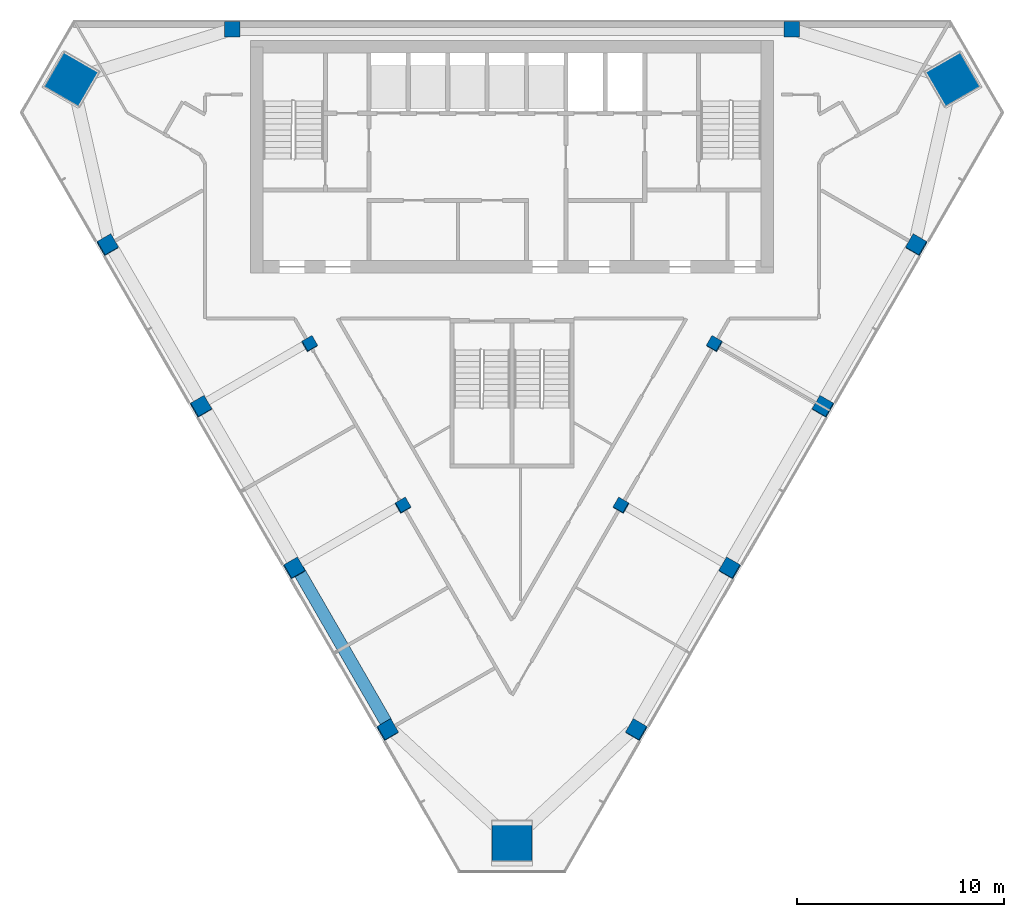
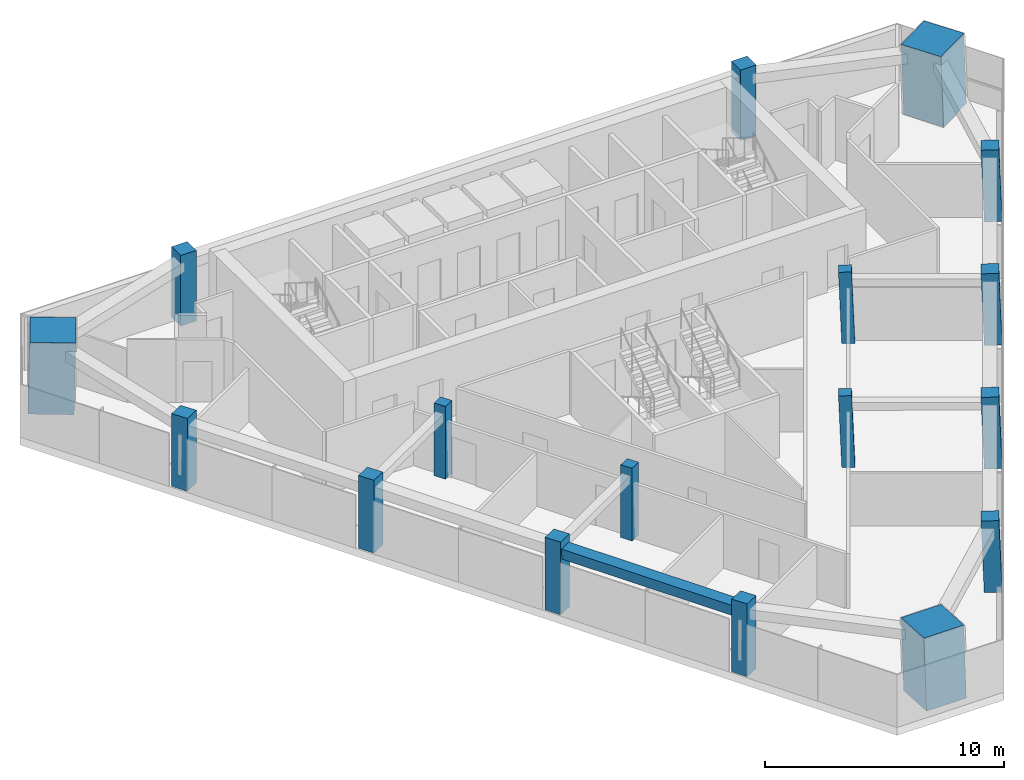
# One storey, part 1 of 12: 17 columns, 1 beam.
"""IFC4 building model written with IfcOpenShell, lengths in metres."""

from ifc_helpers import new_model, si_unit, direction, frame, origin, origin_2d, place, context, subcontext, project, spatial, rectangle, extrude, material, material_profile, profile_set, type_object, element, save


model = new_model("IFC4")

# Units and contexts
model_context = context("Model", 3, precision=1e-05, world=origin(), true_north=direction((0.0, 1.0)))
body_context = subcontext(model_context, "Body", "Model", "MODEL_VIEW")
ifc_project = project(units=[si_unit("LENGTHUNIT", "METRE"), si_unit("AREAUNIT", "SQUARE_METRE"), si_unit("VOLUMEUNIT", "CUBIC_METRE"), si_unit("PLANEANGLEUNIT", "RADIAN"), si_unit("MASSUNIT", "GRAM", prefix="KILO")], contexts=[model_context])

# Site, building, storey
site_placement = place(None, origin())
site = spatial("IfcSite", under=ifc_project, at=site_placement, CompositionType="ELEMENT")
building_placement = place(site_placement, origin())
building = spatial("IfcBuilding", under=site, at=building_placement, Name="Altiplano Prism Tower", CompositionType="ELEMENT")
storey_placement = place(building_placement, frame((0.0, 0.0, 253.60009765625)))
storey = spatial("IfcBuildingStorey", under=building, at=storey_placement, Name="L65", CompositionType="ELEMENT", Elevation=253.60009765625)

# Columns
ifc_material_1 = material(Name="Concrete C60/75", Category="concrete")
ifc_material_profile_1 = material_profile(ifc_material_1, rectangle(XDim=0.550048828125, YDim=0.550048828125, at=origin_2d()), Name="Inner column 550")
ifc_profile_set_1 = profile_set([ifc_material_profile_1], Name="Concrete C60/75")
column_type_1 = type_object("IfcColumnType", Name="Inner column 550", PredefinedType="COLUMN", material=ifc_profile_set_1)
for number, where, z_axis, x_axis, name in (
    (1, (75.22705078125, 89.3671875, -0.016845703125), (0.022221406801, 0.038413224561, 0.999014831351), (-0.866024074112, -0.498523102043, 0.038432015134), "Inner column I12 L65"),
    (2, (79.72705078125, 81.572998046875, -0.016845703125), (0.022221406801, 0.038413224561, 0.999014831351), (-0.866024074112, -0.498523102043, 0.038432015134), "Inner column I13 L65"),
    (3, (90.27294921875, 81.572998046875, -0.016845703125), (-0.022221406801, 0.038413224561, 0.999014831351), (-0.499508270339, -0.866024907787, 0.022188892584), "Inner column I22 L65"),
    (4, (94.77294921875, 89.3671875, -0.016845703125), (-0.022221406801, 0.038413224561, 0.999014831351), (-0.499508270339, -0.866024907787, 0.022188892584), "Inner column I23 L65"),
):
    element("IfcColumn", number, at=place(storey_placement, frame(where, z_axis=z_axis, x_axis=x_axis)), inside=storey, type_object=column_type_1, Name=name, PredefinedType="COLUMN", context=body_context, shape_type="SweptSolid", body=[
        extrude(rectangle(XDim=0.550048828125, YDim=0.550048828125, at=origin_2d()), origin(), (0.0, 0.0, 1.0), 3.603759765625),
    ])
ifc_material_2 = material(Name="Concrete C70/85", Category="concrete")
ifc_material_profile_2 = material_profile(ifc_material_2, rectangle(XDim=1.919921875, YDim=1.919921875, at=origin_2d()), Name="Mega column infill 2000")
ifc_profile_set_2 = profile_set([ifc_material_profile_2], Name="Concrete C70/85")
column_type_2 = type_object("IfcColumnType", Name="Mega column infill 2000", PredefinedType="COLUMN", material=ifc_profile_set_2)
column_1_placement = place(storey_placement, frame((63.68896484375, 102.11767578125, 0.0), z_axis=(0.028403721265, 0.009287135593, 0.999553389135), x_axis=(-0.866201868799, 0.499294814231, 0.019975258968)))
element("IfcColumn", 5, at=column_1_placement, inside=storey, type_object=column_type_2, Name="Mega column M0 L65", PredefinedType="COLUMN", context=body_context, shape_type="SweptSolid", body=[
    extrude(rectangle(XDim=1.919921875, YDim=1.919921875, at=origin_2d()), origin(), (0.0, 0.0, 1.0), 3.6015625),
])
column_2_placement = place(storey_placement, frame((85.0, 65.205810546875, 0.0), z_axis=(0.0, 0.058360852261, 0.998295552892), x_axis=(-1.0, 0.0, 0.0)))
element("IfcColumn", 6, at=column_2_placement, inside=storey, type_object=column_type_2, Name="Mega column M1 L65", PredefinedType="COLUMN", context=body_context, shape_type="SweptSolid", body=[
    extrude(rectangle(XDim=1.919921875, YDim=1.919921875, at=origin_2d()), origin(), (0.0, 0.0, 1.0), 3.60595703125),
])
column_3_placement = place(storey_placement, frame((106.31103515625, 102.11767578125, 0.0), z_axis=(-0.028403721265, 0.009287135593, 0.999553389135), x_axis=(0.498886310803, -0.866382385321, 0.022226364938)))
element("IfcColumn", 7, at=column_3_placement, inside=storey, type_object=column_type_2, Name="Mega column M2 L65", PredefinedType="COLUMN", context=body_context, shape_type="SweptSolid", body=[
    extrude(rectangle(XDim=1.919921875, YDim=1.919921875, at=origin_2d()), origin(), (0.0, 0.0, 1.0), 3.6015625),
])
ifc_material_profile_3 = material_profile(ifc_material_1, rectangle(XDim=0.75, YDim=0.75, at=origin_2d()), Name="Perimeter column 750")
ifc_profile_set_3 = profile_set([ifc_material_profile_3], Name="Concrete C60/75")
column_type_3 = type_object("IfcColumnType", Name="Perimeter column 750", PredefinedType="COLUMN", material=ifc_profile_set_3)
for number, where, z_axis, x_axis, name in (
    (8, (98.5, 104.550048828125, 0.0), (0.0, 0.0, 1.0), (1.0, 0.0, 0.0), "Perimeter column P01 L65"),
    (9, (71.5, 104.550048828125, 0.0), (0.0, 0.0, 1.0), (1.0, 0.0, 0.0), "Perimeter column P04 L65"),
):
    element("IfcColumn", number, at=place(storey_placement, frame(where, z_axis=z_axis, x_axis=x_axis)), inside=storey, type_object=column_type_3, Name=name, PredefinedType="COLUMN", context=body_context, shape_type="SweptSolid", body=[
        extrude(rectangle(XDim=0.75, YDim=0.75, at=origin_2d()), origin(), (0.0, 0.0, 1.0), 3.599853515625),
    ])
for number, where, z_axis, x_axis, name in (
    (10, (65.487548828125, 94.13623046875, -0.02294921875), (0.022221406801, 0.038413224561, 0.999014831351), (-0.866024074112, -0.498523102043, 0.038432015134), "Perimeter column P11 L65"),
    (11, (69.987548828125, 86.342041015625, -0.02294921875), (0.022221406801, 0.038413224561, 0.999014831351), (-0.866024074112, -0.498523102043, 0.038432015134), "Perimeter column P12 L65"),
    (12, (74.487548828125, 78.547607421875, -0.02294921875), (0.02222134892, 0.038480872521, 0.999012229206), (-0.865642107509, -0.499182153693, 0.038482712231), "Perimeter column P13 L65"),
    (13, (78.987548828125, 70.75341796875, -0.02294921875), (0.02222134892, 0.038480872521, 0.999012229206), (-0.865642107509, -0.499182153693, 0.038482712231), "Perimeter column P14 L65"),
    (14, (91.012451171875, 70.75341796875, -0.02294921875), (-0.02222134892, 0.038480872521, 0.999012229206), (-0.500169954701, -0.865642171868, 0.022218161432), "Perimeter column P21 L65"),
    (15, (95.512451171875, 78.547607421875, -0.02294921875), (-0.02222134892, 0.038480872521, 0.999012229206), (-0.500169924484, -0.865642189293, 0.022218162776), "Perimeter column P22 L65"),
    (16, (100.012451171875, 86.342041015625, -0.02294921875), (-0.022221406801, 0.038413224561, 0.999014831351), (-0.499508270339, -0.866024907787, 0.022188892584), "Perimeter column P23 L65"),
    (17, (104.512451171875, 94.13623046875, -0.02294921875), (-0.022221406801, 0.038413224561, 0.999014831351), (-0.499508270339, -0.866024907787, 0.022188892584), "Perimeter column P24 L65"),
):
    element("IfcColumn", number, at=place(storey_placement, frame(where, z_axis=z_axis, x_axis=x_axis)), inside=storey, type_object=column_type_3, Name=name, PredefinedType="COLUMN", context=body_context, shape_type="SweptSolid", body=[
        extrude(rectangle(XDim=0.75, YDim=0.75, at=origin_2d()), origin(), (0.0, 0.0, 1.0), 3.603759765625),
    ])

# Beam
ifc_material_profile_4 = material_profile(ifc_material_1, rectangle(XDim=0.60009765625, YDim=0.5, at=origin_2d()), Name="Edge beam 600x500")
ifc_profile_set_4 = profile_set([ifc_material_profile_4], Name="Concrete C60/75")
beam_type = type_object("IfcBeamType", Name="Edge beam 600x500", PredefinedType="SPANDREL", material=ifc_profile_set_4)
beam_placement = place(storey_placement, frame((74.695556640625, 78.46630859375, 2.949951171875), z_axis=(0.500011199594, -0.866018937599, 0.0), x_axis=(0.866018937599, 0.500011199594, 0.0)))
element("IfcBeam", 18, at=beam_placement, inside=storey, type_object=beam_type, Name="Edge beam P13-P14 L66", PredefinedType="SPANDREL", context=body_context, shape_type="SweptSolid", body=[
    extrude(rectangle(XDim=0.60009765625, YDim=0.5, at=origin_2d()), origin(), (0.0, 0.0, 1.0), 8.489990234375),
])

save(model, "model.ifc")
